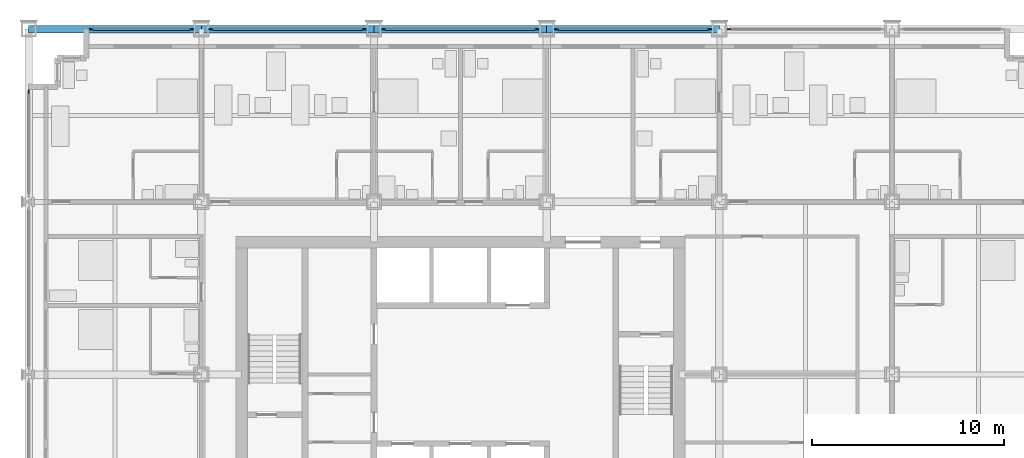
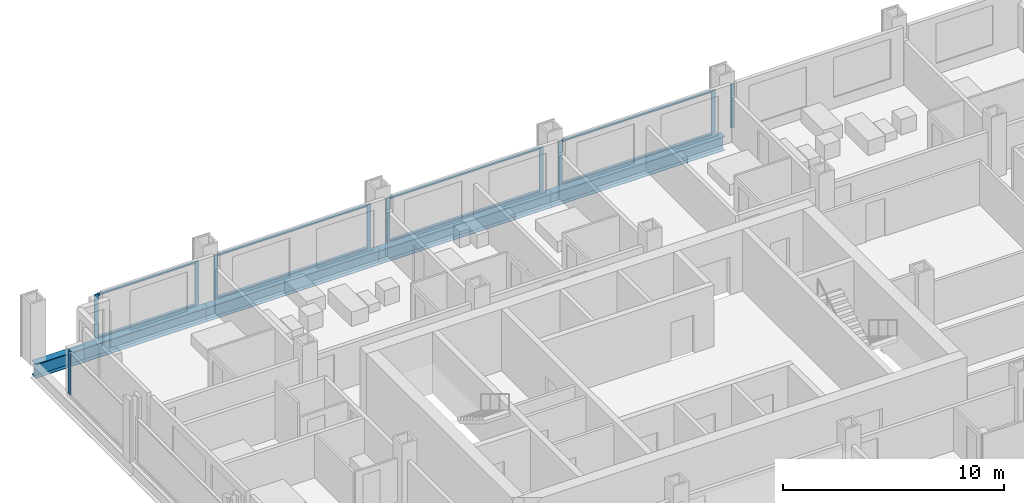
# One storey, part 7 of 18: 18 members, 4 beams, 6 elements without a shape of their own.
"""IFC4 building model written with IfcOpenShell, lengths in metres."""

from ifc_helpers import new_model, si_unit, direction, frame, origin, origin_2d, place, context, subcontext, project, spatial, rectangle, i_section, extrude, material, material_profile, profile_set, type_object, element, aggregate, save


model = new_model("IFC4")

# Units and contexts
model_context = context("Model", 3, precision=1e-05, world=origin(), true_north=direction((0.0, 1.0)))
body_context = subcontext(model_context, "Body", "Model", "MODEL_VIEW")
ifc_project = project(units=[si_unit("LENGTHUNIT", "METRE"), si_unit("AREAUNIT", "SQUARE_METRE"), si_unit("VOLUMEUNIT", "CUBIC_METRE"), si_unit("PLANEANGLEUNIT", "RADIAN"), si_unit("MASSUNIT", "GRAM", prefix="KILO")], contexts=[model_context])

# Site, building, storey
site_placement = place(None, origin())
site = spatial("IfcSite", under=ifc_project, at=site_placement, CompositionType="ELEMENT")
building_placement = place(site_placement, origin())
building = spatial("IfcBuilding", under=site, at=building_placement, Name="Loomwork Tower", CompositionType="ELEMENT")
storey_placement = place(building_placement, frame((0.0, 0.0, 41.60009765625)))
storey = spatial("IfcBuildingStorey", under=building, at=storey_placement, Name="L09", CompositionType="ELEMENT", Elevation=41.60009765625)

# Curtain wall, members
ifc_material_1 = material(Name="Aluminium curtain wall frame", Category="aluminium")
curtain_wall_type = type_object("IfcCurtainWallType", Name="Outer skin glazing hotel", PredefinedType="NOTDEFINED", material=ifc_material_1)
curtain_wall_1_placement = place(storey_placement, origin())
curtain_wall_1 = element("IfcCurtainWall", 1, at=curtain_wall_1_placement, inside=storey, type_object=curtain_wall_type, Name="Outer skin glazing hotel cw/N-0", PredefinedType="NOTDEFINED")
ifc_material_2 = material(Name="Aluminium curtain wall frame", Category="aluminium")
ifc_material_profile_1 = material_profile(ifc_material_2, rectangle(XDim=0.06494140625, YDim=0.199951171875, at=origin_2d()), Name="AL 65x200")
ifc_profile_set_1 = profile_set([ifc_material_profile_1], Name="Aluminium curtain wall frame")
member_type_1 = type_object("IfcMemberType", Name="Outer skin glazing hotel mullion", PredefinedType="MULLION", material=ifc_profile_set_1)
member_1_placement = place(storey_placement, frame((8.5, 36.0, 0.0), z_axis=(0.0, 0.0, 1.0), x_axis=(0.0, -1.0, 0.0)))
member_1 = element("IfcMember", 2, at=member_1_placement, type_object=member_type_1, Name="CW1 mullion 1", PredefinedType="MULLION", context=body_context, shape_type="SweptSolid", body=[
    extrude(rectangle(XDim=0.06494140625, YDim=0.199951171875, at=origin_2d()), origin(), (0.0, 0.0, 1.0), 2.420166015625),
])
member_2_placement = place(storey_placement, frame((3.25, 36.0, 0.0), z_axis=(0.0, 0.0, 1.0), x_axis=(0.0, -1.0, 0.0)))
member_2 = element("IfcMember", 3, at=member_2_placement, type_object=member_type_1, Name="CW1 mullion 2", PredefinedType="MULLION", context=body_context, shape_type="SweptSolid", body=[
    extrude(rectangle(XDim=0.06494140625, YDim=0.199951171875, at=origin_2d()), origin(), (0.0, 0.0, 1.0), 2.420166015625),
])

curtain_wall_2_placement = place(storey_placement, origin())
curtain_wall_2 = element("IfcCurtainWall", 4, at=curtain_wall_2_placement, inside=storey, type_object=curtain_wall_type, Name="Outer skin glazing hotel cw/N-9", PredefinedType="NOTDEFINED")
member_3_placement = place(storey_placement, frame((17.5, 36.0, 0.0), z_axis=(0.0, 0.0, 1.0), x_axis=(0.0, -1.0, 0.0)))
member_3 = element("IfcMember", 5, at=member_3_placement, type_object=member_type_1, Name="CW1 mullion 1", PredefinedType="MULLION", context=body_context, shape_type="SweptSolid", body=[
    extrude(rectangle(XDim=0.06494140625, YDim=0.199951171875, at=origin_2d()), origin(), (0.0, 0.0, 1.0), 2.420166015625),
])
member_4_placement = place(storey_placement, frame((9.5, 36.0, 0.0), z_axis=(0.0, 0.0, 1.0), x_axis=(0.0, -1.0, 0.0)))
member_4 = element("IfcMember", 6, at=member_4_placement, type_object=member_type_1, Name="CW1 mullion 2", PredefinedType="MULLION", context=body_context, shape_type="SweptSolid", body=[
    extrude(rectangle(XDim=0.06494140625, YDim=0.199951171875, at=origin_2d()), origin(), (0.0, 0.0, 1.0), 2.420166015625),
])

curtain_wall_3_placement = place(storey_placement, origin())
curtain_wall_3 = element("IfcCurtainWall", 7, at=curtain_wall_3_placement, inside=storey, type_object=curtain_wall_type, Name="Outer skin glazing hotel cw/N-18", PredefinedType="NOTDEFINED")
member_5_placement = place(storey_placement, frame((26.5, 36.0, 0.0), z_axis=(0.0, 0.0, 1.0), x_axis=(0.0, -1.0, 0.0)))
member_5 = element("IfcMember", 8, at=member_5_placement, type_object=member_type_1, Name="CW1 mullion 1", PredefinedType="MULLION", context=body_context, shape_type="SweptSolid", body=[
    extrude(rectangle(XDim=0.06494140625, YDim=0.199951171875, at=origin_2d()), origin(), (0.0, 0.0, 1.0), 2.420166015625),
])
member_6_placement = place(storey_placement, frame((18.5, 36.0, 0.0), z_axis=(0.0, 0.0, 1.0), x_axis=(0.0, -1.0, 0.0)))
member_6 = element("IfcMember", 9, at=member_6_placement, type_object=member_type_1, Name="CW1 mullion 2", PredefinedType="MULLION", context=body_context, shape_type="SweptSolid", body=[
    extrude(rectangle(XDim=0.06494140625, YDim=0.199951171875, at=origin_2d()), origin(), (0.0, 0.0, 1.0), 2.420166015625),
])

curtain_wall_4_placement = place(storey_placement, origin())
curtain_wall_4 = element("IfcCurtainWall", 10, at=curtain_wall_4_placement, inside=storey, type_object=curtain_wall_type, Name="Outer skin glazing hotel cw/N-27", PredefinedType="NOTDEFINED")
member_7_placement = place(storey_placement, frame((35.5, 36.0, 0.0), z_axis=(0.0, 0.0, 1.0), x_axis=(0.0, -1.0, 0.0)))
member_7 = element("IfcMember", 11, at=member_7_placement, type_object=member_type_1, Name="CW1 mullion 1", PredefinedType="MULLION", context=body_context, shape_type="SweptSolid", body=[
    extrude(rectangle(XDim=0.06494140625, YDim=0.199951171875, at=origin_2d()), origin(), (0.0, 0.0, 1.0), 2.420166015625),
])
member_8_placement = place(storey_placement, frame((27.5, 36.0, 0.0), z_axis=(0.0, 0.0, 1.0), x_axis=(0.0, -1.0, 0.0)))
member_8 = element("IfcMember", 12, at=member_8_placement, type_object=member_type_1, Name="CW1 mullion 2", PredefinedType="MULLION", context=body_context, shape_type="SweptSolid", body=[
    extrude(rectangle(XDim=0.06494140625, YDim=0.199951171875, at=origin_2d()), origin(), (0.0, 0.0, 1.0), 2.420166015625),
])

# Curtain wall, member
curtain_wall_5_placement = place(storey_placement, origin())
curtain_wall_5 = element("IfcCurtainWall", 13, at=curtain_wall_5_placement, inside=storey, type_object=curtain_wall_type, Name="Outer skin glazing hotel cw/N-36", PredefinedType="NOTDEFINED")
member_9_placement = place(storey_placement, frame((36.5, 36.0, 0.0), z_axis=(0.0, 0.0, 1.0), x_axis=(0.0, -1.0, 0.0)))
member_9 = element("IfcMember", 14, at=member_9_placement, type_object=member_type_1, Name="CW1 mullion 2", PredefinedType="MULLION", context=body_context, shape_type="SweptSolid", body=[
    extrude(rectangle(XDim=0.06494140625, YDim=0.199951171875, at=origin_2d()), origin(), (0.0, 0.0, 1.0), 2.420166015625),
])
aggregate(curtain_wall_5, [member_9])

curtain_wall_6_placement = place(storey_placement, origin())
curtain_wall_6 = element("IfcCurtainWall", 15, at=curtain_wall_6_placement, inside=storey, type_object=curtain_wall_type, Name="Outer skin glazing hotel cw/W-27", PredefinedType="NOTDEFINED")
member_10_placement = place(storey_placement, frame((0.0, 32.75, 0.0), z_axis=(0.0, 0.0, 1.0), x_axis=(1.0, 0.0, 0.0)))
member_10 = element("IfcMember", 16, at=member_10_placement, type_object=member_type_1, Name="CW1 mullion 1", PredefinedType="MULLION", context=body_context, shape_type="SweptSolid", body=[
    extrude(rectangle(XDim=0.06494140625, YDim=0.199951171875, at=origin_2d()), origin(), (0.0, 0.0, 1.0), 2.420166015625),
])
aggregate(curtain_wall_6, [member_10])

# Member
ifc_material_3 = material(Name="Aluminium curtain wall frame", Category="aluminium")
ifc_material_profile_2 = material_profile(ifc_material_3, rectangle(XDim=0.14990234375, YDim=0.06494140625, at=origin_2d()), Name="AL 65x150")
ifc_profile_set_2 = profile_set([ifc_material_profile_2], Name="Aluminium curtain wall frame")
member_type_2 = type_object("IfcMemberType", Name="Outer skin glazing hotel transom", PredefinedType="USERDEFINED", material=ifc_profile_set_2)
member_11_placement = place(storey_placement, frame((8.39990234375, 36.0, 0.032470703125), z_axis=(-1.0, 0.0, 0.0), x_axis=(0.0, -1.0, 0.0)))
member_11 = element("IfcMember", 17, at=member_11_placement, type_object=member_type_2, Name="CW1 transom 1.1", ObjectType="TRANSOM", PredefinedType="USERDEFINED", context=body_context, shape_type="SweptSolid", body=[
    extrude(rectangle(XDim=0.14990234375, YDim=0.06494140625, at=origin_2d()), origin(), (0.0, 0.0, 1.0), 5.0498046875),
])

member_12_placement = place(storey_placement, frame((8.39990234375, 36.0, 2.3876953125), z_axis=(-1.0, 0.0, 0.0), x_axis=(0.0, -1.0, 0.0)))
member_12 = element("IfcMember", 18, at=member_12_placement, type_object=member_type_2, Name="CW1 transom 1.2", ObjectType="TRANSOM", PredefinedType="USERDEFINED", context=body_context, shape_type="SweptSolid", body=[
    extrude(rectangle(XDim=0.14990234375, YDim=0.06494140625, at=origin_2d()), origin(), (0.0, 0.0, 1.0), 5.0498046875),
])

aggregate(curtain_wall_1, [member_1, member_2, member_11, member_12])

member_13_placement = place(storey_placement, frame((17.39990234375, 36.0, 0.032470703125), z_axis=(-1.0, 0.0, 0.0), x_axis=(0.0, -1.0, 0.0)))
member_13 = element("IfcMember", 19, at=member_13_placement, type_object=member_type_2, Name="CW1 transom 1.1", ObjectType="TRANSOM", PredefinedType="USERDEFINED", context=body_context, shape_type="SweptSolid", body=[
    extrude(rectangle(XDim=0.14990234375, YDim=0.06494140625, at=origin_2d()), origin(), (0.0, 0.0, 1.0), 7.7998046875),
])

member_14_placement = place(storey_placement, frame((17.39990234375, 36.0, 2.3876953125), z_axis=(-1.0, 0.0, 0.0), x_axis=(0.0, -1.0, 0.0)))
member_14 = element("IfcMember", 20, at=member_14_placement, type_object=member_type_2, Name="CW1 transom 1.2", ObjectType="TRANSOM", PredefinedType="USERDEFINED", context=body_context, shape_type="SweptSolid", body=[
    extrude(rectangle(XDim=0.14990234375, YDim=0.06494140625, at=origin_2d()), origin(), (0.0, 0.0, 1.0), 7.7998046875),
])

aggregate(curtain_wall_2, [member_3, member_4, member_13, member_14])

member_15_placement = place(storey_placement, frame((26.39990234375, 36.0, 0.032470703125), z_axis=(-1.0, 0.0, 0.0), x_axis=(0.0, -1.0, 0.0)))
member_15 = element("IfcMember", 21, at=member_15_placement, type_object=member_type_2, Name="CW1 transom 1.1", ObjectType="TRANSOM", PredefinedType="USERDEFINED", context=body_context, shape_type="SweptSolid", body=[
    extrude(rectangle(XDim=0.14990234375, YDim=0.06494140625, at=origin_2d()), origin(), (0.0, 0.0, 1.0), 7.7998046875),
])

member_16_placement = place(storey_placement, frame((26.39990234375, 36.0, 2.3876953125), z_axis=(-1.0, 0.0, 0.0), x_axis=(0.0, -1.0, 0.0)))
member_16 = element("IfcMember", 22, at=member_16_placement, type_object=member_type_2, Name="CW1 transom 1.2", ObjectType="TRANSOM", PredefinedType="USERDEFINED", context=body_context, shape_type="SweptSolid", body=[
    extrude(rectangle(XDim=0.14990234375, YDim=0.06494140625, at=origin_2d()), origin(), (0.0, 0.0, 1.0), 7.7998046875),
])

aggregate(curtain_wall_3, [member_5, member_6, member_15, member_16])

member_17_placement = place(storey_placement, frame((35.39990234375, 36.0, 0.032470703125), z_axis=(-1.0, 0.0, 0.0), x_axis=(0.0, -1.0, 0.0)))
member_17 = element("IfcMember", 23, at=member_17_placement, type_object=member_type_2, Name="CW1 transom 1.1", ObjectType="TRANSOM", PredefinedType="USERDEFINED", context=body_context, shape_type="SweptSolid", body=[
    extrude(rectangle(XDim=0.14990234375, YDim=0.06494140625, at=origin_2d()), origin(), (0.0, 0.0, 1.0), 7.7998046875),
])

member_18_placement = place(storey_placement, frame((35.39990234375, 36.0, 2.3876953125), z_axis=(-1.0, 0.0, 0.0), x_axis=(0.0, -1.0, 0.0)))
member_18 = element("IfcMember", 24, at=member_18_placement, type_object=member_type_2, Name="CW1 transom 1.2", ObjectType="TRANSOM", PredefinedType="USERDEFINED", context=body_context, shape_type="SweptSolid", body=[
    extrude(rectangle(XDim=0.14990234375, YDim=0.06494140625, at=origin_2d()), origin(), (0.0, 0.0, 1.0), 7.7998046875),
])

aggregate(curtain_wall_4, [member_7, member_8, member_17, member_18])

# Beams
ifc_material_4 = material(Name="Steel ASTM A992", Category="steel")
ifc_material_profile_3 = material_profile(ifc_material_4, i_section(OverallWidth=0.381103515625, OverallDepth=0.77978515625, WebThickness=0.01806640625, FlangeThickness=0.0302734375, at=origin_2d()), Name="W30x191")
ifc_profile_set_3 = profile_set([ifc_material_profile_3], Name="Steel ASTM A992")
beam_type = type_object("IfcBeamType", Name="SPANDREL GIRDER W30x191", PredefinedType="SPANDREL", material=ifc_profile_set_3)
for number, where, z_axis, x_axis, name in (
    (25, (0.0, 36.0, -0.590087890625), (1.0, 0.0, 0.0), (0.0, 1.0, 0.0), "Spandrel Girder H/2-H/3 L09"),
    (26, (9.0, 36.0, -0.590087890625), (1.0, 0.0, 0.0), (0.0, 1.0, 0.0), "Spandrel Girder H/3-H/4 L09"),
    (27, (18.0, 36.0, -0.590087890625), (1.0, 0.0, 0.0), (0.0, 1.0, 0.0), "Spandrel Girder H/4-H/5 L09"),
    (28, (27.0, 36.0, -0.590087890625), (1.0, 0.0, 0.0), (0.0, 1.0, 0.0), "Spandrel Girder H/5-H/6 L09"),
):
    element("IfcBeam", number, at=place(storey_placement, frame(where, z_axis=z_axis, x_axis=x_axis)), inside=storey, type_object=beam_type, Name=name, PredefinedType="SPANDREL", context=body_context, shape_type="SweptSolid", body=[
        extrude(i_section(OverallWidth=0.381103515625, OverallDepth=0.77978515625, WebThickness=0.01806640625, FlangeThickness=0.0302734375, at=origin_2d()), origin(), (0.0, 0.0, 1.0), 9.0),
    ])

save(model, "model.ifc")
